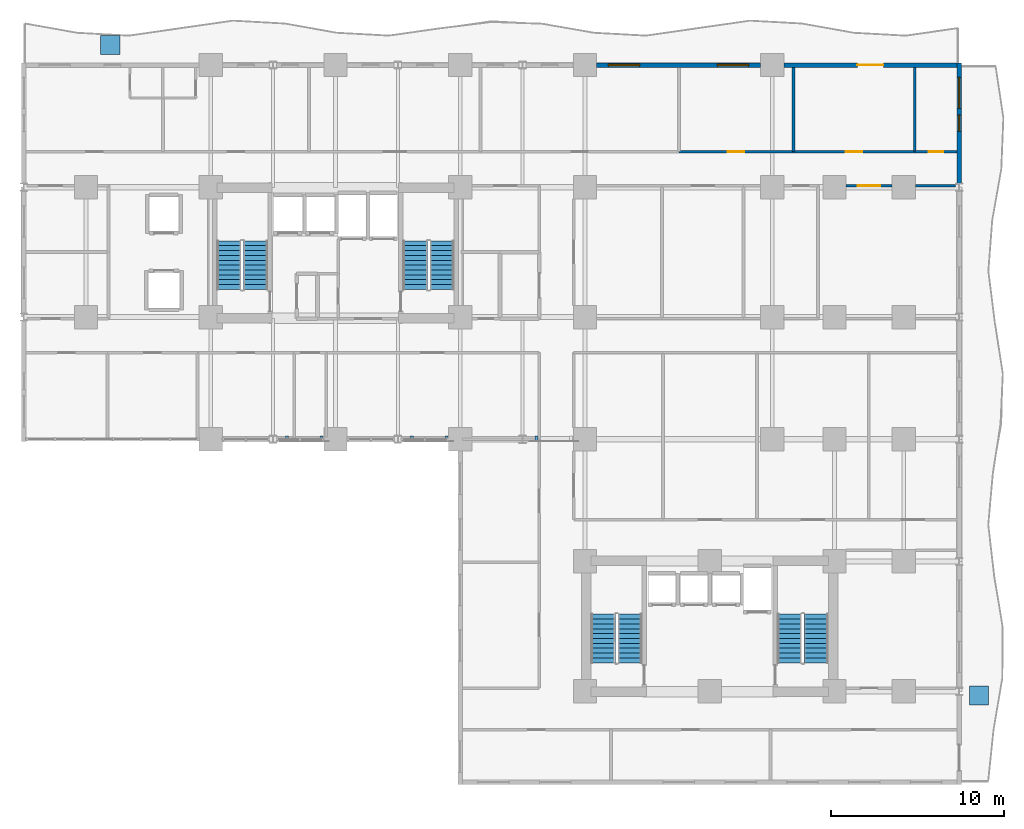
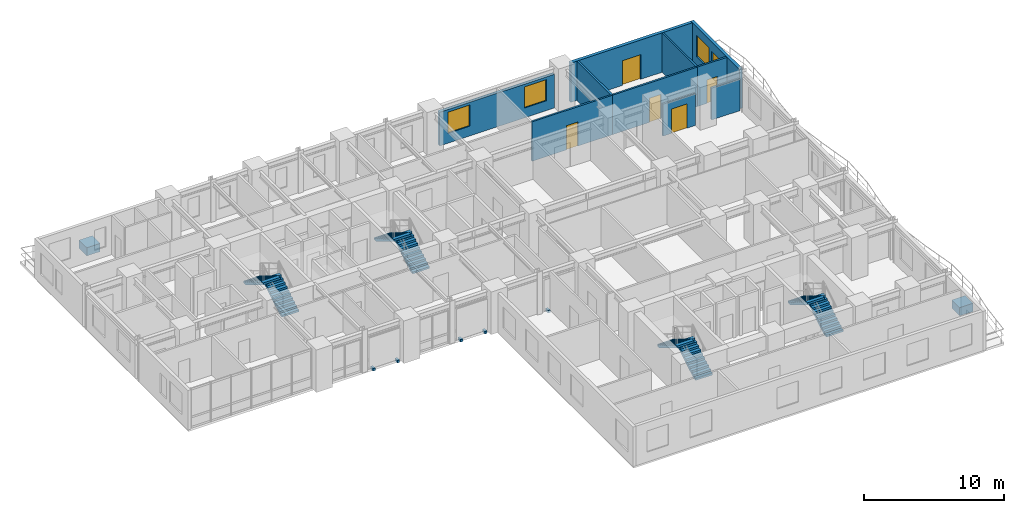
# One storey, part 13 of 17: 10 walls, 8 stair flights, 7 discrete accessories, 5 doors, 4 windows, 9 openings, 4 elements without a shape of their own.
"""IFC4 building model written with IfcOpenShell, lengths in metres."""

from ifc_helpers import new_model, si_unit, direction, frame, frame_2d, origin, origin_2d, place, context, subcontext, project, spatial, polyline, rectangle, outline, extrude, source, transform, mapped, material, layer, layer_set, type_object, element, fill, aggregate, save


model = new_model("IFC4")

# Units and contexts
model_context = context("Model", 3, precision=1e-05, world=origin(), true_north=direction((0.0, 1.0)))
body_context = subcontext(model_context, "Body", "Model", "MODEL_VIEW")
ifc_project = project(units=[si_unit("LENGTHUNIT", "METRE"), si_unit("AREAUNIT", "SQUARE_METRE"), si_unit("VOLUMEUNIT", "CUBIC_METRE"), si_unit("PLANEANGLEUNIT", "RADIAN"), si_unit("MASSUNIT", "GRAM", prefix="KILO")], contexts=[model_context])

# Site, building, storey
site_placement = place(None, origin())
site = spatial("IfcSite", under=ifc_project, at=site_placement, CompositionType="ELEMENT")
building_placement = place(site_placement, origin())
building = spatial("IfcBuilding", under=site, at=building_placement, Name="Kaliganga Portal Commons", CompositionType="ELEMENT")
storey_placement = place(building_placement, frame((0.0, 0.0, 43.800048828125)))
storey = spatial("IfcBuildingStorey", under=building, at=storey_placement, Name="L10", CompositionType="ELEMENT", Elevation=43.800048828125)

# Wall, openings, windows
ifc_material_1 = material(Name="Insulated Aluminium-Clad Spandrel Assembly", Category="aluminium")
ifc_layer_1 = layer(ifc_material_1, 0.260009765625)
ifc_layer_set_1 = layer_set([ifc_layer_1], Name="Insulated Aluminium-Clad Spandrel Assembly")
wall_type_1 = type_object("IfcWallType", Name="WL-EXT-SPAND-260", PredefinedType="STANDARD", material=ifc_layer_set_1)
wall_1_placement = place(storey_placement, frame((57.60009765625, 43.330078125, 0.0), z_axis=(0.0, 0.0, 1.0), x_axis=(0.0, -1.0, 0.0)))
wall_1 = element("IfcWall", 1, at=wall_1_placement, inside=storey, type_object=wall_type_1, Name="Exterior Envelope Wall L10 P1-E01-S6", PredefinedType="STANDARD", context=body_context, shape_type="SweptSolid", body=[
    extrude(rectangle(XDim=6.9560546875, YDim=0.260009765625, at=frame_2d((3.47802734375, 0.0))), origin(), (0.0, 0.0, 1.0), 3.429931640625),
])
opening_1_placement = place(wall_1_placement, frame((0.839111328125, 0.0, 0.85009765625)))
opening_1 = element("IfcOpeningElement", 2, at=opening_1_placement, cuts=wall_1, Name="Opening W-01", PredefinedType="OPENING", context=body_context, shape_type="SweptSolid", body=[
    extrude(rectangle(XDim=1.800048828125, YDim=1.85009765625, at=frame_2d((0.89990234375, 0.925048828125))), frame((0.0, 0.14013671875, 0.0), z_axis=(0.0, -1.0, 0.0), x_axis=(1.0, 0.0, 0.0)), (0.0, 0.0, 1.0), 0.280029296875),
])
opening_2_placement = place(wall_1_placement, frame((3.0029296875, 0.0, 0.85009765625)))
opening_2 = element("IfcOpeningElement", 3, at=opening_2_placement, cuts=wall_1, Name="Opening W-04", PredefinedType="OPENING", context=body_context, shape_type="SweptSolid", body=[
    extrude(rectangle(XDim=0.949951171875, YDim=1.75, at=frame_2d((0.47509765625, 0.875))), frame((0.0, 0.14013671875, 0.0), z_axis=(0.0, -1.0, 0.0), x_axis=(1.0, 0.0, 0.0)), (0.0, 0.0, 1.0), 0.280029296875),
])
ifc_material_2 = material(Name="Thermally Broken Aluminium and Low-E Double Glazing", Category="aluminium")
window_type_1 = type_object("IfcWindowType", Name="WIN-NARROW-950", PartitioningType="SINGLE_PANEL", PredefinedType="WINDOW", material=ifc_material_2)
window_1_placement = place(opening_2_placement, origin())
window_1 = element("IfcWindow", 4, at=window_1_placement, inside=storey, type_object=window_type_1, Name="Facade Window L10-P1E01S6-N0", OverallHeight=1.75, OverallWidth=0.949951171875, PartitioningType="SINGLE_PANEL", PredefinedType="WINDOW", context=body_context, shape_type="SweptSolid", body=[
    extrude(rectangle(XDim=0.949951171875, YDim=1.75, at=frame_2d((0.47509765625, 0.875))), frame((0.0, 0.030029296875, 0.0), z_axis=(0.0, -1.0, 0.0), x_axis=(1.0, 0.0, 0.0)), (0.0, 0.0, 1.0), 0.06005859375),
])
fill(opening_2, window_1)
window_type_2 = type_object("IfcWindowType", Name="WIN-STD-1800", PartitioningType="DOUBLE_PANEL_VERTICAL", PredefinedType="WINDOW", material=ifc_material_2)
window_2_placement = place(opening_1_placement, origin())
window_2 = element("IfcWindow", 5, at=window_2_placement, inside=storey, type_object=window_type_2, Name="Facade Window L10-P1E01S6-00", OverallHeight=1.85009765625, OverallWidth=1.800048828125, PartitioningType="SINGLE_PANEL", PredefinedType="WINDOW", context=body_context, shape_type="SweptSolid", body=[
    extrude(rectangle(XDim=1.800048828125, YDim=1.85009765625, at=frame_2d((0.89990234375, 0.925048828125))), frame((0.0, 0.030029296875, 0.0), z_axis=(0.0, -1.0, 0.0), x_axis=(1.0, 0.0, 0.0)), (0.0, 0.0, 1.0), 0.06005859375),
])
fill(opening_1, window_2)

# Wall, opening, door
wall_2_placement = place(storey_placement, frame((47.47607421875, 43.199951171875, 0.0), z_axis=(0.0, 0.0, 1.0), x_axis=(1.0, 0.0, 0.0)))
wall_2 = element("IfcWall", 6, at=wall_2_placement, inside=storey, type_object=wall_type_1, Name="Exterior Envelope Wall L10 P1-E02-S1", PredefinedType="STANDARD", context=body_context, shape_type="SweptSolid", body=[
    extrude(rectangle(XDim=9.989013671875, YDim=0.260009765625, at=frame_2d((4.99462890625, 0.0))), origin(), (0.0, 0.0, 1.0), 3.429931640625),
])
opening_3_placement = place(wall_2_placement, frame((4.2451171875, 0.0, 0.0)))
opening_3 = element("IfcOpeningElement", 7, at=opening_3_placement, cuts=wall_2, Name="Opening BD-01", PredefinedType="OPENING", context=body_context, shape_type="SweptSolid", body=[
    extrude(rectangle(XDim=1.5, YDim=2.14990234375, at=frame_2d((0.75, 1.074951171875))), frame((0.0, 0.14013671875, 0.0), z_axis=(0.0, -1.0, 0.0), x_axis=(1.0, 0.0, 0.0)), (0.0, 0.0, 1.0), 0.280029296875),
])
ifc_material_3 = material(Name="Anodized Aluminium and Laminated Safety Glass", Category="aluminium")
door_type_1 = type_object("IfcDoorType", Name="DR-BALC-1500", OperationType="SLIDING_TO_LEFT", PredefinedType="DOOR", material=ifc_material_3)
door_1_placement = place(opening_3_placement, origin())
door_1 = element("IfcDoor", 8, at=door_1_placement, inside=storey, type_object=door_type_1, Name="Balcony Sliding Door L10 balc_north", OperationType="SLIDING_TO_LEFT", OverallHeight=2.14990234375, OverallWidth=1.5, PredefinedType="DOOR", context=body_context, shape_type="SweptSolid", body=[
    extrude(rectangle(XDim=1.5, YDim=2.14990234375, at=frame_2d((0.75, 1.074951171875))), frame((0.0, 0.02490234375, 0.0), z_axis=(0.0, -1.0, 0.0), x_axis=(1.0, 0.0, 0.0)), (0.0, 0.0, 1.0), 0.050048828125),
])
fill(opening_3, door_1)

# Wall, openings, windows
wall_3_placement = place(storey_placement, frame((36.676025390625, 43.199951171875, 0.0), z_axis=(0.0, 0.0, 1.0), x_axis=(1.0, 0.0, 0.0)))
wall_3 = element("IfcWall", 9, at=wall_3_placement, inside=storey, type_object=wall_type_1, Name="Exterior Envelope Wall L10 P1-E02-S2", PredefinedType="STANDARD", context=body_context, shape_type="SweptSolid", body=[
    extrude(rectangle(XDim=9.447998046875, YDim=0.260009765625, at=frame_2d((4.72412109375, 0.0))), origin(), (0.0, 0.0, 1.0), 2.929931640625),
])
opening_4_placement = place(wall_3_placement, frame((0.6748046875, 0.0, 0.85009765625)))
opening_4 = element("IfcOpeningElement", 10, at=opening_4_placement, cuts=wall_3, Name="Opening W-01", PredefinedType="OPENING", context=body_context, shape_type="SweptSolid", body=[
    extrude(rectangle(XDim=1.800048828125, YDim=1.85009765625, at=frame_2d((0.89990234375, 0.925048828125))), frame((0.0, 0.14013671875, 0.0), z_axis=(0.0, -1.0, 0.0), x_axis=(1.0, 0.0, 0.0)), (0.0, 0.0, 1.0), 0.280029296875),
])
opening_5_placement = place(wall_3_placement, frame((6.973388671875, 0.0, 0.85009765625)))
opening_5 = element("IfcOpeningElement", 11, at=opening_5_placement, cuts=wall_3, Name="Opening W-01", PredefinedType="OPENING", context=body_context, shape_type="SweptSolid", body=[
    extrude(rectangle(XDim=1.800048828125, YDim=1.85009765625, at=frame_2d((0.89990234375, 0.925048828125))), frame((0.0, 0.14013671875, 0.0), z_axis=(0.0, -1.0, 0.0), x_axis=(1.0, 0.0, 0.0)), (0.0, 0.0, 1.0), 0.280029296875),
])
window_3_placement = place(opening_4_placement, origin())
window_3 = element("IfcWindow", 12, at=window_3_placement, inside=storey, type_object=window_type_2, Name="Facade Window L10-P1E02S2-00", OverallHeight=1.85009765625, OverallWidth=1.800048828125, PartitioningType="SINGLE_PANEL", PredefinedType="WINDOW", context=body_context, shape_type="SweptSolid", body=[
    extrude(rectangle(XDim=1.800048828125, YDim=1.85009765625, at=frame_2d((0.89990234375, 0.925048828125))), frame((0.0, 0.030029296875, 0.0), z_axis=(0.0, -1.0, 0.0), x_axis=(1.0, 0.0, 0.0)), (0.0, 0.0, 1.0), 0.06005859375),
])
fill(opening_4, window_3)
window_4_placement = place(opening_5_placement, origin())
window_4 = element("IfcWindow", 13, at=window_4_placement, inside=storey, type_object=window_type_2, Name="Facade Window L10-P1E02S2-02", OverallHeight=1.85009765625, OverallWidth=1.800048828125, PartitioningType="SINGLE_PANEL", PredefinedType="WINDOW", context=body_context, shape_type="SweptSolid", body=[
    extrude(rectangle(XDim=1.800048828125, YDim=1.85009765625, at=frame_2d((0.89990234375, 0.925048828125))), frame((0.0, 0.030029296875, 0.0), z_axis=(0.0, -1.0, 0.0), x_axis=(1.0, 0.0, 0.0)), (0.0, 0.0, 1.0), 0.06005859375),
])
fill(opening_5, window_4)

# Wall, opening, door
ifc_material_4 = material(Name="Fire-Rated Gypsum Board on Steel Stud", Category="steel")
ifc_layer_2 = layer(ifc_material_4, 0.14990234375)
ifc_layer_set_2 = layer_set([ifc_layer_2], Name="Fire-Rated Gypsum Board on Steel Stud")
wall_type_2 = type_object("IfcWallType", Name="WL-PART-CORR-150", PredefinedType="PARTITIONING", material=ifc_layer_set_2)
wall_4_placement = place(storey_placement, frame((51.074951171875, 36.239990234375, 0.0), z_axis=(0.0, 0.0, 1.0), x_axis=(1.0, 0.0, 0.0)))
wall_4 = element("IfcWall", 14, at=wall_4_placement, inside=storey, type_object=wall_type_2, Name="Interior Partition L10-015", PredefinedType="PARTITIONING", context=body_context, shape_type="SweptSolid", body=[
    extrude(rectangle(XDim=2.650146484375, YDim=0.14990234375, at=frame_2d((1.3251953125, 0.0))), origin(), (0.0, 0.0, 1.0), 2.780029296875),
])
opening_6_placement = place(wall_4_placement, frame((0.675048828125, 0.0, 0.0)))
opening_6 = element("IfcOpeningElement", 15, at=opening_6_placement, cuts=wall_4, Name="Opening RD-03", PredefinedType="OPENING", context=body_context, shape_type="SweptSolid", body=[
    extrude(rectangle(XDim=1.300048828125, YDim=2.1201171875, at=frame_2d((0.64990234375, 1.06005859375))), frame((0.0, 0.0849609375, 0.0), z_axis=(0.0, -1.0, 0.0), x_axis=(1.0, 0.0, 0.0)), (0.0, 0.0, 1.0), 0.169921875),
])
ifc_material_5 = material(Name="Glazed Timber Seminar Vision Door", Category="wood")
door_type_2 = type_object("IfcDoorType", Name="DR-STUDY-1300", OperationType="DOUBLE_DOOR_SINGLE_SWING", PredefinedType="DOOR", material=ifc_material_5)
door_2_placement = place(opening_6_placement, origin())
door_2 = element("IfcDoor", 16, at=door_2_placement, inside=storey, type_object=door_type_2, Name="Interior Door L10-BK04", OperationType="DOUBLE_DOOR_SINGLE_SWING", OverallHeight=2.1201171875, OverallWidth=1.300048828125, PredefinedType="DOOR", context=body_context, shape_type="SweptSolid", body=[
    extrude(rectangle(XDim=1.300048828125, YDim=2.1201171875, at=frame_2d((0.64990234375, 1.06005859375))), frame((0.0, 0.02490234375, 0.0), z_axis=(0.0, -1.0, 0.0), x_axis=(1.0, 0.0, 0.0)), (0.0, 0.0, 1.0), 0.050048828125),
])
fill(opening_6, door_2)

# Wall
wall_5_placement = place(storey_placement, frame((55.074951171875, 36.239990234375, 0.0), z_axis=(0.0, 0.0, 1.0), x_axis=(1.0, 0.0, 0.0)))
element("IfcWall", 17, at=wall_5_placement, inside=storey, type_object=wall_type_2, Name="Interior Partition L10-016", PredefinedType="PARTITIONING", context=body_context, shape_type="SweptSolid", body=[
    extrude(rectangle(XDim=2.317138671875, YDim=0.14990234375, at=frame_2d((1.15869140625, 0.0))), origin(), (0.0, 0.0, 1.0), 2.780029296875),
])

# Wall, opening, door
wall_6_placement = place(storey_placement, frame((48.0400390625, 38.199951171875, 0.0), z_axis=(0.0, 0.0, 1.0), x_axis=(1.0, 0.0, 0.0)))
wall_6 = element("IfcWall", 18, at=wall_6_placement, inside=storey, type_object=wall_type_2, Name="Interior Partition L10-025", PredefinedType="PARTITIONING", context=body_context, shape_type="SweptSolid", body=[
    extrude(rectangle(XDim=7.0, YDim=0.14990234375, at=frame_2d((3.5, 0.0))), origin(), (0.0, 0.0, 1.0), 3.429931640625),
])
opening_7_placement = place(wall_6_placement, frame((3.02490234375, 0.0, 0.0)))
opening_7 = element("IfcOpeningElement", 19, at=opening_7_placement, cuts=wall_6, Name="Opening UD-01", PredefinedType="OPENING", context=body_context, shape_type="SweptSolid", body=[
    extrude(rectangle(XDim=0.949951171875, YDim=2.10009765625, at=frame_2d((0.47509765625, 1.050048828125))), frame((0.0, 0.0849609375, 0.0), z_axis=(0.0, -1.0, 0.0), x_axis=(1.0, 0.0, 0.0)), (0.0, 0.0, 1.0), 0.169921875),
])
ifc_material_6 = material(Name="Solid-Core Timber Acoustic Fire Door", Category="wood")
door_type_3 = type_object("IfcDoorType", Name="DR-UNIT-950", OperationType="NOTDEFINED", PredefinedType="DOOR", material=ifc_material_6)
door_3_placement = place(opening_7_placement, origin())
door_3 = element("IfcDoor", 20, at=door_3_placement, inside=storey, type_object=door_type_3, Name="Interior Door L10-AN06", OperationType="SINGLE_SWING_RIGHT", OverallHeight=2.10009765625, OverallWidth=0.949951171875, PredefinedType="DOOR", context=body_context, shape_type="SweptSolid", body=[
    extrude(rectangle(XDim=0.949951171875, YDim=2.10009765625, at=frame_2d((0.47509765625, 1.050048828125))), frame((0.0, 0.02490234375, 0.0), z_axis=(0.0, -1.0, 0.0), x_axis=(1.0, 0.0, 0.0)), (0.0, 0.0, 1.0), 0.050048828125),
])
fill(opening_7, door_3)

wall_7_placement = place(storey_placement, frame((41.419921875, 38.199951171875, 0.0), z_axis=(0.0, 0.0, 1.0), x_axis=(1.0, 0.0, 0.0)))
wall_7 = element("IfcWall", 21, at=wall_7_placement, inside=storey, type_object=wall_type_2, Name="Interior Partition L10-026", PredefinedType="PARTITIONING", context=body_context, shape_type="SweptSolid", body=[
    extrude(rectangle(XDim=6.6201171875, YDim=0.14990234375, at=frame_2d((3.31005859375, 0.0))), origin(), (0.0, 0.0, 1.0), 3.429931640625),
])
opening_8_placement = place(wall_7_placement, frame((2.8349609375, 0.0, 0.0)))
opening_8 = element("IfcOpeningElement", 22, at=opening_8_placement, cuts=wall_7, Name="Opening UD-01", PredefinedType="OPENING", context=body_context, shape_type="SweptSolid", body=[
    extrude(rectangle(XDim=0.949951171875, YDim=2.10009765625, at=frame_2d((0.47509765625, 1.050048828125))), frame((0.0, 0.0849609375, 0.0), z_axis=(0.0, -1.0, 0.0), x_axis=(1.0, 0.0, 0.0)), (0.0, 0.0, 1.0), 0.169921875),
])
door_4_placement = place(opening_8_placement, origin())
door_4 = element("IfcDoor", 23, at=door_4_placement, inside=storey, type_object=door_type_3, Name="Interior Door L10-AN05", OperationType="SINGLE_SWING_LEFT", OverallHeight=2.10009765625, OverallWidth=0.949951171875, PredefinedType="DOOR", context=body_context, shape_type="SweptSolid", body=[
    extrude(rectangle(XDim=0.949951171875, YDim=2.10009765625, at=frame_2d((0.47509765625, 1.050048828125))), frame((0.0, 0.02490234375, 0.0), z_axis=(0.0, -1.0, 0.0), x_axis=(1.0, 0.0, 0.0)), (0.0, 0.0, 1.0), 0.050048828125),
])
fill(opening_8, door_4)

wall_8_placement = place(storey_placement, frame((55.0400390625, 38.199951171875, 0.0), z_axis=(0.0, 0.0, 1.0), x_axis=(1.0, 0.0, 0.0)))
wall_8 = element("IfcWall", 24, at=wall_8_placement, inside=storey, type_object=wall_type_2, Name="Interior Partition L10-051", PredefinedType="PARTITIONING", context=body_context, shape_type="SweptSolid", body=[
    extrude(rectangle(XDim=2.427978515625, YDim=0.14990234375, at=frame_2d((1.2138671875, 0.0))), origin(), (0.0, 0.0, 1.0), 3.429931640625),
])
opening_9_placement = place(wall_8_placement, frame((0.7890625, 0.0, 0.0)))
opening_9 = element("IfcOpeningElement", 25, at=opening_9_placement, cuts=wall_8, Name="Opening WD-01", PredefinedType="OPENING", context=body_context, shape_type="SweptSolid", body=[
    extrude(rectangle(XDim=0.85009765625, YDim=2.0400390625, at=frame_2d((0.425048828125, 1.02001953125))), frame((0.0, 0.0849609375, 0.0), z_axis=(0.0, -1.0, 0.0), x_axis=(1.0, 0.0, 0.0)), (0.0, 0.0, 1.0), 0.169921875),
])
ifc_material_7 = material(Name="Moisture-Resistant Laminate Timber Door", Category="wood")
door_type_4 = type_object("IfcDoorType", Name="DR-WET-850", OperationType="NOTDEFINED", PredefinedType="DOOR", material=ifc_material_7)
door_5_placement = place(opening_9_placement, origin())
door_5 = element("IfcDoor", 26, at=door_5_placement, inside=storey, type_object=door_type_4, Name="Interior Door L10-AN07", OperationType="SINGLE_SWING_LEFT", OverallHeight=2.0400390625, OverallWidth=0.85009765625, PredefinedType="DOOR", context=body_context, shape_type="SweptSolid", body=[
    extrude(rectangle(XDim=0.85009765625, YDim=2.0400390625, at=frame_2d((0.425048828125, 1.02001953125))), frame((0.0, 0.02490234375, 0.0), z_axis=(0.0, -1.0, 0.0), x_axis=(1.0, 0.0, 0.0)), (0.0, 0.0, 1.0), 0.050048828125),
])
fill(opening_9, door_5)

# Walls
ifc_material_8 = material(Name="Twin-Stud Acoustic Gypsum Partition", Category="gypsum")
ifc_layer_3 = layer(ifc_material_8, 0.1650390625)
ifc_layer_set_3 = layer_set([ifc_layer_3], Name="Twin-Stud Acoustic Gypsum Partition")
wall_type_3 = type_object("IfcWallType", Name="WL-PART-UNIT-165", PredefinedType="PARTITIONING", material=ifc_layer_set_3)
wall_9_placement = place(storey_placement, frame((48.0400390625, 38.199951171875, 0.0), z_axis=(0.0, 0.0, 1.0), x_axis=(0.0, 1.0, 0.0)))
element("IfcWall", 27, at=wall_9_placement, inside=storey, type_object=wall_type_3, Name="Interior Partition L10-079", PredefinedType="PARTITIONING", context=body_context, shape_type="SweptSolid", body=[
    extrude(rectangle(XDim=4.8681640625, YDim=0.1650390625, at=frame_2d((2.43408203125, 0.0))), origin(), (0.0, 0.0, 1.0), 3.429931640625),
])
ifc_material_9 = material(Name="Cement-Board Wet-Room Partition", Category="gypsum")
ifc_layer_4 = layer(ifc_material_9, 0.135009765625)
ifc_layer_set_4 = layer_set([ifc_layer_4], Name="Cement-Board Wet-Room Partition")
wall_type_4 = type_object("IfcWallType", Name="WL-PART-WET-135", PredefinedType="PARTITIONING", material=ifc_layer_set_4)
wall_10_placement = place(storey_placement, frame((55.0400390625, 38.199951171875, 0.0), z_axis=(0.0, 0.0, 1.0), x_axis=(0.0, 1.0, 0.0)))
element("IfcWall", 28, at=wall_10_placement, inside=storey, type_object=wall_type_4, Name="Interior Partition L10-080", PredefinedType="PARTITIONING", context=body_context, shape_type="SweptSolid", body=[
    extrude(rectangle(XDim=4.8681640625, YDim=0.135009765625, at=frame_2d((2.43408203125, 0.0))), origin(), (0.0, 0.0, 1.0), 3.429931640625),
])

# Stair, stair flights
ifc_material_10 = material(Name="Concrete C40/50", Category="concrete")
stair_type = type_object("IfcStairType", Name="ST-CORE-DOGLEG", PredefinedType="HALF_TURN_STAIR", material=ifc_material_10)
stair_1_placement = place(storey_placement, origin())
stair_1 = element("IfcStair", 29, at=stair_1_placement, inside=storey, type_object=stair_type, Name="L10 Protected Exit Stair ST-A1", PredefinedType="HALF_TURN_STAIR")
stair_flight_type = type_object("IfcStairFlightType", Name="STF-RC-1400", PredefinedType="STRAIGHT", material=ifc_material_10)
stair_flight_1_placement = place(storey_placement, frame((17.0, 30.25, 0.0), z_axis=(0.0, 0.0, 1.0), x_axis=(0.0, 1.0, 0.0)))
stair_flight_1 = element("IfcStairFlight", 30, at=stair_flight_1_placement, type_object=stair_flight_type, Name="ST-A1 flight 1", NumberOfRisers=11, NumberOfTreads=10, PredefinedType="STRAIGHT", RiserHeight=0.168181818, TreadLength=0.28, context=body_context, shape_type="SweptSolid", body=[
    extrude(outline(polyline([(0.0, 0.0), (0.0, 0.168212890625), (0.280029296875, 0.168212890625), (0.280029296875, 0.33642578125), (0.56005859375, 0.33642578125), (0.56005859375, 0.504638671875), (0.840087890625, 0.504638671875), (0.840087890625, 0.672607421875), (1.1201171875, 0.672607421875), (1.1201171875, 0.8408203125), (1.39990234375, 0.8408203125), (1.39990234375, 1.009033203125), (1.679931640625, 1.009033203125), (1.679931640625, 1.17724609375), (1.9599609375, 1.17724609375), (1.9599609375, 1.345458984375), (2.239990234375, 1.345458984375), (2.239990234375, 1.513671875), (2.52001953125, 1.513671875), (2.52001953125, 1.681884765625), (2.800048828125, 1.681884765625), (2.800048828125, 1.85009765625), (2.800048828125, 1.5068359375), (0.291015625, 0.0), (0.0, 0.0)])), frame((0.0, 0.699951171875, 0.0), z_axis=(0.0, -1.0, 0.0), x_axis=(1.0, 0.0, 0.0)), (0.0, 0.0, 1.0), 1.39990234375),
])
stair_flight_2_placement = place(storey_placement, frame((15.449951171875, 33.050048828125, 1.849853515625), z_axis=(0.0, 0.0, 1.0), x_axis=(0.0, -1.0, 0.0)))
stair_flight_2 = element("IfcStairFlight", 31, at=stair_flight_2_placement, type_object=stair_flight_type, Name="ST-A1 flight 2", NumberOfRisers=11, NumberOfTreads=10, PredefinedType="STRAIGHT", RiserHeight=0.168181818, TreadLength=0.28, context=body_context, shape_type="SweptSolid", body=[
    extrude(outline(polyline([(0.0, 0.0), (0.0, 0.168212890625), (0.280029296875, 0.168212890625), (0.280029296875, 0.33642578125), (0.56005859375, 0.33642578125), (0.56005859375, 0.504638671875), (0.840087890625, 0.504638671875), (0.840087890625, 0.672607421875), (1.1201171875, 0.672607421875), (1.1201171875, 0.8408203125), (1.39990234375, 0.8408203125), (1.39990234375, 1.009033203125), (1.679931640625, 1.009033203125), (1.679931640625, 1.17724609375), (1.9599609375, 1.17724609375), (1.9599609375, 1.345458984375), (2.239990234375, 1.345458984375), (2.239990234375, 1.513671875), (2.52001953125, 1.513671875), (2.52001953125, 1.681884765625), (2.800048828125, 1.681884765625), (2.800048828125, 1.85009765625), (2.800048828125, 1.5068359375), (0.291015625, 0.0), (0.0, 0.0)])), frame((0.0, 0.699951171875, 0.0), z_axis=(0.0, -1.0, 0.0), x_axis=(1.0, 0.0, 0.0)), (0.0, 0.0, 1.0), 1.39990234375),
])
aggregate(stair_1, [stair_flight_1, stair_flight_2])

stair_2_placement = place(storey_placement, origin())
stair_2 = element("IfcStair", 32, at=stair_2_placement, inside=storey, type_object=stair_type, Name="L10 Protected Exit Stair ST-A2", PredefinedType="HALF_TURN_STAIR")
stair_flight_3_placement = place(storey_placement, frame((27.75, 30.25, 0.0), z_axis=(0.0, 0.0, 1.0), x_axis=(0.0, 1.0, 0.0)))
stair_flight_3 = element("IfcStairFlight", 33, at=stair_flight_3_placement, type_object=stair_flight_type, Name="ST-A2 flight 1", NumberOfRisers=11, NumberOfTreads=10, PredefinedType="STRAIGHT", RiserHeight=0.168181818, TreadLength=0.28, context=body_context, shape_type="SweptSolid", body=[
    extrude(outline(polyline([(0.0, 0.0), (0.0, 0.168212890625), (0.280029296875, 0.168212890625), (0.280029296875, 0.33642578125), (0.56005859375, 0.33642578125), (0.56005859375, 0.504638671875), (0.840087890625, 0.504638671875), (0.840087890625, 0.672607421875), (1.1201171875, 0.672607421875), (1.1201171875, 0.8408203125), (1.39990234375, 0.8408203125), (1.39990234375, 1.009033203125), (1.679931640625, 1.009033203125), (1.679931640625, 1.17724609375), (1.9599609375, 1.17724609375), (1.9599609375, 1.345458984375), (2.239990234375, 1.345458984375), (2.239990234375, 1.513671875), (2.52001953125, 1.513671875), (2.52001953125, 1.681884765625), (2.800048828125, 1.681884765625), (2.800048828125, 1.85009765625), (2.800048828125, 1.5068359375), (0.291015625, 0.0), (0.0, 0.0)])), frame((0.0, 0.699951171875, 0.0), z_axis=(0.0, -1.0, 0.0), x_axis=(1.0, 0.0, 0.0)), (0.0, 0.0, 1.0), 1.39990234375),
])
stair_flight_4_placement = place(storey_placement, frame((26.199951171875, 33.050048828125, 1.849853515625), z_axis=(0.0, 0.0, 1.0), x_axis=(0.0, -1.0, 0.0)))
stair_flight_4 = element("IfcStairFlight", 34, at=stair_flight_4_placement, type_object=stair_flight_type, Name="ST-A2 flight 2", NumberOfRisers=11, NumberOfTreads=10, PredefinedType="STRAIGHT", RiserHeight=0.168181818, TreadLength=0.28, context=body_context, shape_type="SweptSolid", body=[
    extrude(outline(polyline([(0.0, 0.0), (0.0, 0.168212890625), (0.280029296875, 0.168212890625), (0.280029296875, 0.33642578125), (0.56005859375, 0.33642578125), (0.56005859375, 0.504638671875), (0.840087890625, 0.504638671875), (0.840087890625, 0.672607421875), (1.1201171875, 0.672607421875), (1.1201171875, 0.8408203125), (1.39990234375, 0.8408203125), (1.39990234375, 1.009033203125), (1.679931640625, 1.009033203125), (1.679931640625, 1.17724609375), (1.9599609375, 1.17724609375), (1.9599609375, 1.345458984375), (2.239990234375, 1.345458984375), (2.239990234375, 1.513671875), (2.52001953125, 1.513671875), (2.52001953125, 1.681884765625), (2.800048828125, 1.681884765625), (2.800048828125, 1.85009765625), (2.800048828125, 1.5068359375), (0.291015625, 0.0), (0.0, 0.0)])), frame((0.0, 0.699951171875, 0.0), z_axis=(0.0, -1.0, 0.0), x_axis=(1.0, 0.0, 0.0)), (0.0, 0.0, 1.0), 1.39990234375),
])
aggregate(stair_2, [stair_flight_3, stair_flight_4])

stair_3_placement = place(storey_placement, origin())
stair_3 = element("IfcStair", 35, at=stair_3_placement, inside=storey, type_object=stair_type, Name="L10 Protected Exit Stair ST-B1", PredefinedType="HALF_TURN_STAIR")
stair_flight_5_placement = place(storey_placement, frame((38.60009765625, 8.699951171875, 0.0), z_axis=(0.0, 0.0, 1.0), x_axis=(0.0, 1.0, 0.0)))
stair_flight_5 = element("IfcStairFlight", 36, at=stair_flight_5_placement, type_object=stair_flight_type, Name="ST-B1 flight 1", NumberOfRisers=11, NumberOfTreads=10, PredefinedType="STRAIGHT", RiserHeight=0.168181818, TreadLength=0.28, context=body_context, shape_type="SweptSolid", body=[
    extrude(outline(polyline([(0.0, 0.0), (0.0, 0.168212890625), (0.280029296875, 0.168212890625), (0.280029296875, 0.33642578125), (0.56005859375, 0.33642578125), (0.56005859375, 0.504638671875), (0.840087890625, 0.504638671875), (0.840087890625, 0.672607421875), (1.1201171875, 0.672607421875), (1.1201171875, 0.8408203125), (1.39990234375, 0.8408203125), (1.39990234375, 1.009033203125), (1.679931640625, 1.009033203125), (1.679931640625, 1.17724609375), (1.9599609375, 1.17724609375), (1.9599609375, 1.345458984375), (2.239990234375, 1.345458984375), (2.239990234375, 1.513671875), (2.52001953125, 1.513671875), (2.52001953125, 1.681884765625), (2.800048828125, 1.681884765625), (2.800048828125, 1.85009765625), (2.800048828125, 1.5068359375), (0.291015625, 0.0), (0.0, 0.0)])), frame((0.0, 0.699951171875, 0.0), z_axis=(0.0, -1.0, 0.0), x_axis=(1.0, 0.0, 0.0)), (0.0, 0.0, 1.0), 1.39990234375),
])
stair_flight_6_placement = place(storey_placement, frame((37.050048828125, 11.5, 1.849853515625), z_axis=(0.0, 0.0, 1.0), x_axis=(0.0, -1.0, 0.0)))
stair_flight_6 = element("IfcStairFlight", 37, at=stair_flight_6_placement, type_object=stair_flight_type, Name="ST-B1 flight 2", NumberOfRisers=11, NumberOfTreads=10, PredefinedType="STRAIGHT", RiserHeight=0.168181818, TreadLength=0.28, context=body_context, shape_type="SweptSolid", body=[
    extrude(outline(polyline([(0.0, 0.0), (0.0, 0.168212890625), (0.280029296875, 0.168212890625), (0.280029296875, 0.33642578125), (0.56005859375, 0.33642578125), (0.56005859375, 0.504638671875), (0.840087890625, 0.504638671875), (0.840087890625, 0.672607421875), (1.1201171875, 0.672607421875), (1.1201171875, 0.8408203125), (1.39990234375, 0.8408203125), (1.39990234375, 1.009033203125), (1.679931640625, 1.009033203125), (1.679931640625, 1.17724609375), (1.9599609375, 1.17724609375), (1.9599609375, 1.345458984375), (2.239990234375, 1.345458984375), (2.239990234375, 1.513671875), (2.52001953125, 1.513671875), (2.52001953125, 1.681884765625), (2.800048828125, 1.681884765625), (2.800048828125, 1.85009765625), (2.800048828125, 1.5068359375), (0.291015625, 0.0), (0.0, 0.0)])), frame((0.0, 0.699951171875, 0.0), z_axis=(0.0, -1.0, 0.0), x_axis=(1.0, 0.0, 0.0)), (0.0, 0.0, 1.0), 1.39990234375),
])
aggregate(stair_3, [stair_flight_5, stair_flight_6])

stair_4_placement = place(storey_placement, origin())
stair_4 = element("IfcStair", 38, at=stair_4_placement, inside=storey, type_object=stair_type, Name="L10 Protected Exit Stair ST-B2", PredefinedType="HALF_TURN_STAIR")
stair_flight_7_placement = place(storey_placement, frame((49.35009765625, 8.699951171875, 0.0), z_axis=(0.0, 0.0, 1.0), x_axis=(0.0, 1.0, 0.0)))
stair_flight_7 = element("IfcStairFlight", 39, at=stair_flight_7_placement, type_object=stair_flight_type, Name="ST-B2 flight 1", NumberOfRisers=11, NumberOfTreads=10, PredefinedType="STRAIGHT", RiserHeight=0.168181818, TreadLength=0.28, context=body_context, shape_type="SweptSolid", body=[
    extrude(outline(polyline([(0.0, 0.0), (0.0, 0.168212890625), (0.280029296875, 0.168212890625), (0.280029296875, 0.33642578125), (0.56005859375, 0.33642578125), (0.56005859375, 0.504638671875), (0.840087890625, 0.504638671875), (0.840087890625, 0.672607421875), (1.1201171875, 0.672607421875), (1.1201171875, 0.8408203125), (1.39990234375, 0.8408203125), (1.39990234375, 1.009033203125), (1.679931640625, 1.009033203125), (1.679931640625, 1.17724609375), (1.9599609375, 1.17724609375), (1.9599609375, 1.345458984375), (2.239990234375, 1.345458984375), (2.239990234375, 1.513671875), (2.52001953125, 1.513671875), (2.52001953125, 1.681884765625), (2.800048828125, 1.681884765625), (2.800048828125, 1.85009765625), (2.800048828125, 1.5068359375), (0.291015625, 0.0), (0.0, 0.0)])), frame((0.0, 0.699951171875, 0.0), z_axis=(0.0, -1.0, 0.0), x_axis=(1.0, 0.0, 0.0)), (0.0, 0.0, 1.0), 1.39990234375),
])
stair_flight_8_placement = place(storey_placement, frame((47.800048828125, 11.5, 1.849853515625), z_axis=(0.0, 0.0, 1.0), x_axis=(0.0, -1.0, 0.0)))
stair_flight_8 = element("IfcStairFlight", 40, at=stair_flight_8_placement, type_object=stair_flight_type, Name="ST-B2 flight 2", NumberOfRisers=11, NumberOfTreads=10, PredefinedType="STRAIGHT", RiserHeight=0.168181818, TreadLength=0.28, context=body_context, shape_type="SweptSolid", body=[
    extrude(outline(polyline([(0.0, 0.0), (0.0, 0.168212890625), (0.280029296875, 0.168212890625), (0.280029296875, 0.33642578125), (0.56005859375, 0.33642578125), (0.56005859375, 0.504638671875), (0.840087890625, 0.504638671875), (0.840087890625, 0.672607421875), (1.1201171875, 0.672607421875), (1.1201171875, 0.8408203125), (1.39990234375, 0.8408203125), (1.39990234375, 1.009033203125), (1.679931640625, 1.009033203125), (1.679931640625, 1.17724609375), (1.9599609375, 1.17724609375), (1.9599609375, 1.345458984375), (2.239990234375, 1.345458984375), (2.239990234375, 1.513671875), (2.52001953125, 1.513671875), (2.52001953125, 1.681884765625), (2.800048828125, 1.681884765625), (2.800048828125, 1.85009765625), (2.800048828125, 1.5068359375), (0.291015625, 0.0), (0.0, 0.0)])), frame((0.0, 0.699951171875, 0.0), z_axis=(0.0, -1.0, 0.0), x_axis=(1.0, 0.0, 0.0)), (0.0, 0.0, 1.0), 1.39990234375),
])
aggregate(stair_4, [stair_flight_7, stair_flight_8])

# Discrete accessories
ifc_material_11 = material(Name="Precast concrete C40/50", Category="concrete")
discrete_accessory_type_1 = type_object("IfcDiscreteAccessoryType", Name="DAC-PLANTER-RC", PredefinedType="USERDEFINED", material=ifc_material_11)
shared_shape_1 = source(origin(), body_context, "Body", "SweptSolid", [
    extrude(rectangle(XDim=1.10009765625, YDim=1.10009765625, at=origin_2d()), origin(), (0.0, 0.0, 1.0), 0.719970703125),
])
for number, where, z_axis, x_axis, name in (
    (41, (8.60009765625, 44.35009765625, 0.0), (0.0, 0.0, 1.0), (1.0, 0.0, 0.0), "Structural Tree Planter L10 balc_north"),
    (42, (58.75, 6.800048828125, 0.0), (0.0, 0.0, 1.0), (1.0, 0.0, 0.0), "Structural Tree Planter L10 balc_east"),
):
    element("IfcDiscreteAccessory", number, at=place(storey_placement, frame(where, z_axis=z_axis, x_axis=x_axis)), inside=storey, type_object=discrete_accessory_type_1, Name=name, ObjectType="PLANTER", PredefinedType="USERDEFINED", context=body_context, shape_type="MappedRepresentation", body=[
        mapped(shared_shape_1, transform((0.0, 0.0, 0.0), x_axis=(1.0, 0.0, 0.0), y_axis=(0.0, 1.0, 0.0), z_axis=(0.0, 0.0, 1.0), scale=1.0)),
    ])
ifc_material_12 = material(Name="Structural steel S355J2", Category="steel")
discrete_accessory_type_2 = type_object("IfcDiscreteAccessoryType", Name="DAC-BRK-SCR", PredefinedType="BRACKET", material=ifc_material_12)
shared_shape_2 = source(origin(), body_context, "Body", "SweptSolid", [
    extrude(rectangle(XDim=0.179931640625, YDim=0.360107421875, at=origin_2d()), origin(), (0.0, 0.0, 1.0), 0.219970703125),
])
for number, where, z_axis, x_axis, name in (
    (43, (18.800048828125, 21.6201171875, -0.18994140625), (0.0, 0.0, 1.0), (1.0, 0.0, 0.0), "Solar Screen Outrigger Bracket L10-S1-1"),
    (44, (20.800048828125, 21.6201171875, -0.18994140625), (0.0, 0.0, 1.0), (1.0, 0.0, 0.0), "Solar Screen Outrigger Bracket L10-S1-2"),
    (45, (26.0, 21.6201171875, -0.18994140625), (0.0, 0.0, 1.0), (1.0, 0.0, 0.0), "Solar Screen Outrigger Bracket L10-S2-1"),
    (46, (28.0, 21.6201171875, -0.18994140625), (0.0, 0.0, 1.0), (1.0, 0.0, 0.0), "Solar Screen Outrigger Bracket L10-S2-2"),
    (47, (33.199951171875, 21.6201171875, -0.18994140625), (0.0, 0.0, 1.0), (1.0, 0.0, 0.0), "Solar Screen Outrigger Bracket L10-S3-1"),
):
    element("IfcDiscreteAccessory", number, at=place(storey_placement, frame(where, z_axis=z_axis, x_axis=x_axis)), inside=storey, type_object=discrete_accessory_type_2, Name=name, PredefinedType="BRACKET", context=body_context, shape_type="MappedRepresentation", body=[
        mapped(shared_shape_2, transform((0.0, 0.0, 0.0), x_axis=(1.0, 0.0, 0.0), y_axis=(0.0, 1.0, 0.0), z_axis=(0.0, 0.0, 1.0), scale=1.0)),
    ])

save(model, "model.ifc")
